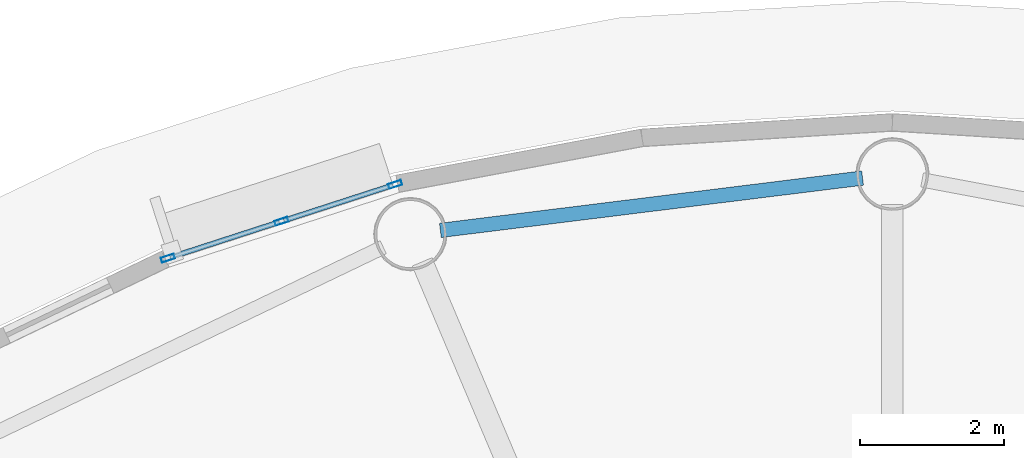
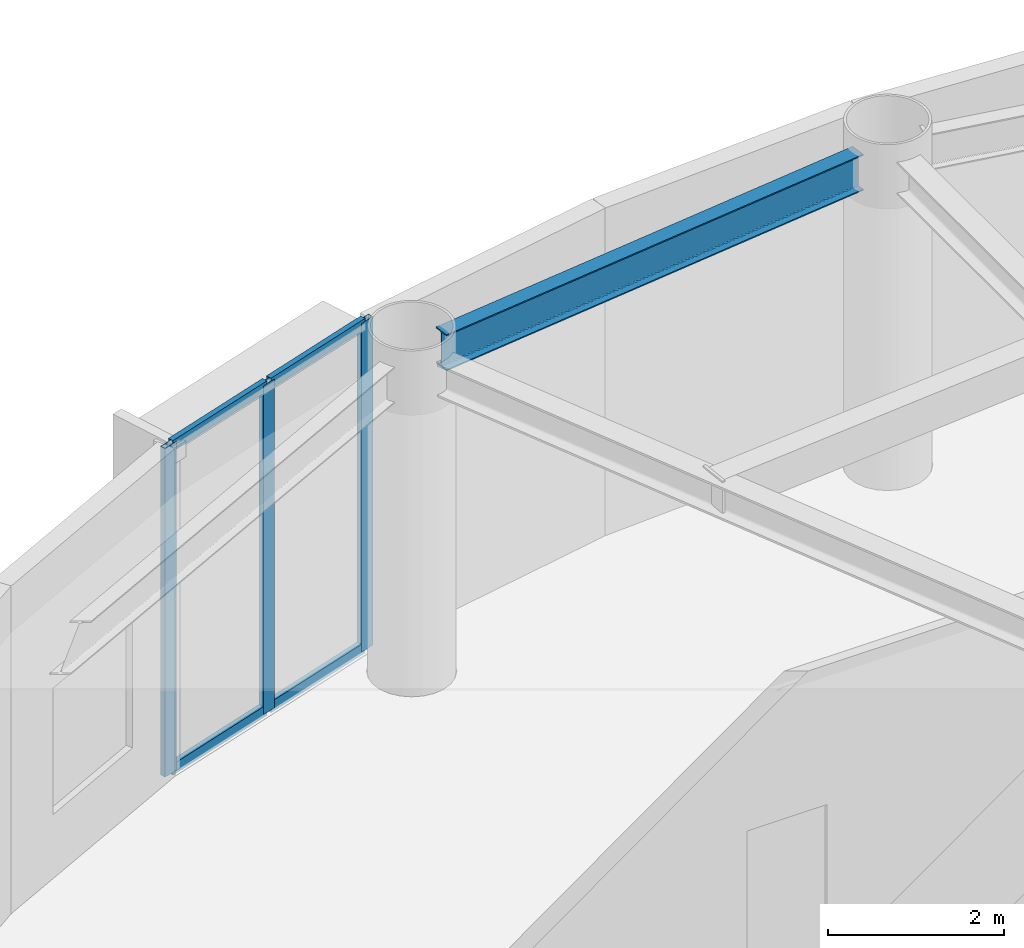
# One storey, part 18 of 32: 7 members, 1 beam, 1 element without a shape of its own.
"""IFC4 building model written with IfcOpenShell, lengths in metres."""

import ifcopenshell
import ifcopenshell.guid

model = None  # the IFC model being written
_history = None  # IfcOwnerHistory: only IFC2X3 demands one
_inside = {}  # id of a spatial element -> (the spatial element, [elements in it])
_under = {}  # id of a project, library or spatial element -> (it, [spatial elements below it])
_declared = {}  # id of a project -> (the project, [libraries it declares])
_typed = {}  # id of a type object -> (the type object, [elements of that type])
_made_of = {}  # id of a material, layer set ... -> (it, [elements and type objects made of it])


def new_model(schema):
    """Start an empty IFC model of exactly this schema.

    Asked for "IFC4X3", IfcOpenShell would pick the latest addendum, in which some entities
    have other attributes; the version numbers below select the first issue.
    IFC2X3 requires an IfcOwnerHistory on every rooted entity: one is made here for all.
    """
    global model, _history
    if schema == "IFC4X3":
        model = ifcopenshell.file(schema_version=(4, 3, 0, 0))
    else:
        model = ifcopenshell.file(schema=schema)
    _inside.clear()
    _under.clear()
    _declared.clear()
    _typed.clear()
    _made_of.clear()
    _history = None
    if model.schema == "IFC2X3":
        org = make("IfcOrganization", Name="unknown")
        user = make(
            "IfcPersonAndOrganization",
            ThePerson=make("IfcPerson", FamilyName="unknown"),
            TheOrganization=org,
        )
        app = make(
            "IfcApplication",
            ApplicationDeveloper=org,
            Version="unknown",
            ApplicationFullName="unknown",
            ApplicationIdentifier="unknown",
        )
        _history = make(
            "IfcOwnerHistory",
            OwningUser=user,
            OwningApplication=app,
            ChangeAction="ADDED",
            CreationDate=0,
        )
    return model


def make(cls, **values):
    """One entity of the class cls with the attributes given. An attribute that is None is left unset."""
    return model.create_entity(
        cls, **{name: value for name, value in values.items() if value is not None}
    )


def rooted(cls, **values):
    """An entity with a GlobalId (a new one), such as an element, a storey or a relation."""
    return make(cls, GlobalId=ifcopenshell.guid.new(), OwnerHistory=_history, **values)


def si_unit(unit_type, name, prefix=None):
    """IfcSIUnit, for example si_unit("LENGTHUNIT", "METRE", prefix="MILLI")."""
    return make("IfcSIUnit", UnitType=unit_type, Prefix=prefix, Name=name)


def assignment(units):
    """IfcUnitAssignment: the units of a project."""
    return None if units is None else make("IfcUnitAssignment", Units=units)


def point(xyz):
    """IfcCartesianPoint."""
    return None if xyz is None else make("IfcCartesianPoint", Coordinates=xyz)


def direction(xyz):
    """IfcDirection."""
    return None if xyz is None else make("IfcDirection", DirectionRatios=xyz)


def frame(location, z_axis=None, x_axis=None):
    """IfcAxis2Placement3D, a coordinate frame: its origin and axes. An axis left out is left unset."""
    return make(
        "IfcAxis2Placement3D",
        Location=point(location),
        Axis=direction(z_axis),
        RefDirection=direction(x_axis),
    )


def frame_2d(location, x_axis=None):
    """IfcAxis2Placement2D, a coordinate frame in the plane: its origin and x axis."""
    return make(
        "IfcAxis2Placement2D", Location=point(location), RefDirection=direction(x_axis)
    )


def origin():
    """The frame at (0, 0, 0) with its axes left unset."""
    return frame((0.0, 0.0, 0.0))


def origin_2d():
    """The frame at (0, 0) in the plane with its x axis left unset."""
    return frame_2d((0.0, 0.0))


def place(relative_to, where):
    """IfcLocalPlacement: puts the frame where relative to a parent placement (None: the world)."""
    return make(
        "IfcLocalPlacement", PlacementRelTo=relative_to, RelativePlacement=where
    )


def context(
    kind, dimensions, precision=None, world=None, true_north=None, identifier=None
):
    """IfcGeometricRepresentationContext, for example the 3D "Model" context."""
    return make(
        "IfcGeometricRepresentationContext",
        ContextIdentifier=identifier,
        ContextType=kind,
        CoordinateSpaceDimension=dimensions,
        Precision=precision,
        WorldCoordinateSystem=world,
        TrueNorth=true_north,
    )


def subcontext(parent, identifier, kind, view, scale=None):
    """IfcGeometricRepresentationSubContext, for example "Body" below "Model"."""
    return make(
        "IfcGeometricRepresentationSubContext",
        ContextIdentifier=identifier,
        ContextType=kind,
        ParentContext=parent,
        TargetScale=scale,
        TargetView=view,
    )


def project(units=None, contexts=None):
    """IfcProject with its units and contexts."""
    return rooted(
        "IfcProject",
        Name="project",
        RepresentationContexts=contexts,
        UnitsInContext=assignment(units),
    )


def spatial(cls, under=None, at=None, **own):
    """A site, building, storey or space (cls), placed at a placement, below another one or the project."""
    s = rooted(cls, ObjectPlacement=at, **own)
    if under is not None:
        _under.setdefault(under.id(), (under, []))[1].append(s)
    return s


def profile(cls, at=None, kind="AREA", **sizes):
    """A parametric profile (cls). Its sizes go by their IFC names, for example OverallWidth=200.0."""
    return make(cls, ProfileType=kind, Position=at, **sizes)


def hollow_rectangle(**sizes):
    """IfcRectangleHollowProfileDef."""
    return profile("IfcRectangleHollowProfileDef", **sizes)


def i_section(**sizes):
    """IfcIShapeProfileDef."""
    return profile("IfcIShapeProfileDef", **sizes)


def extrude(swept, where, along, depth):
    """IfcExtrudedAreaSolid: the profile swept, set in the frame where, extruded along a direction by depth."""
    return make(
        "IfcExtrudedAreaSolid",
        SweptArea=swept,
        Position=where,
        ExtrudedDirection=direction(along),
        Depth=depth,
    )


def shape(context_of_items, identifier, shape_type, items):
    """IfcShapeRepresentation: the items that make up one representation, for example the "Body"."""
    return make(
        "IfcShapeRepresentation",
        ContextOfItems=context_of_items,
        RepresentationIdentifier=identifier,
        RepresentationType=shape_type,
        Items=items,
    )


def source(mapping_origin, context_of_items, identifier, shape_type, items):
    """IfcRepresentationMap: a shape defined once, which mapped items show again and again."""
    return make(
        "IfcRepresentationMap",
        MappingOrigin=mapping_origin,
        MappedRepresentation=shape(context_of_items, identifier, shape_type, items),
    )


def transform(
    local_origin,
    x_axis=None,
    y_axis=None,
    z_axis=None,
    scale=None,
    scale2=None,
    scale3=None,
    uniform=True,
):
    """IfcCartesianTransformationOperator3D, or its non-uniform kind. x_axis, y_axis, z_axis: its Axis1, 2, 3."""
    if uniform:
        return make(
            "IfcCartesianTransformationOperator3D",
            Axis1=direction(x_axis),
            Axis2=direction(y_axis),
            LocalOrigin=point(local_origin),
            Scale=scale,
            Axis3=direction(z_axis),
        )
    return make(
        "IfcCartesianTransformationOperator3DnonUniform",
        Axis1=direction(x_axis),
        Axis2=direction(y_axis),
        LocalOrigin=point(local_origin),
        Scale=scale,
        Axis3=direction(z_axis),
        Scale2=scale2,
        Scale3=scale3,
    )


def mapped(mapping_source, mapping_target):
    """IfcMappedItem: shows the shape of a source again, moved by a transform."""
    return make(
        "IfcMappedItem", MappingSource=mapping_source, MappingTarget=mapping_target
    )


def material(Name=None, Category=None):
    """IfcMaterial."""
    return make("IfcMaterial", Name=Name, Category=Category)


def layer(
    of_material, thickness, ventilated=None, Name=None, Category=None, Priority=None
):
    """IfcMaterialLayer: one layer of a wall or slab, of a material (None: an air gap)."""
    return make(
        "IfcMaterialLayer",
        Material=of_material,
        LayerThickness=thickness,
        IsVentilated=ventilated,
        Name=Name,
        Category=Category,
        Priority=Priority,
    )


def layer_set(layers, Name=None):
    """IfcMaterialLayerSet."""
    return make("IfcMaterialLayerSet", MaterialLayers=layers, LayerSetName=Name)


def material_profile(
    of_material, cross_section, Name=None, Category=None, Priority=None
):
    """IfcMaterialProfile: a cross section and its material."""
    return make(
        "IfcMaterialProfile",
        Name=Name,
        Material=of_material,
        Profile=cross_section,
        Priority=Priority,
        Category=Category,
    )


def profile_set(profiles, Name=None, composite=None):
    """IfcMaterialProfileSet."""
    return make(
        "IfcMaterialProfileSet",
        Name=Name,
        MaterialProfiles=profiles,
        CompositeProfile=composite,
    )


def made_of(thing, what):
    """Note that an element or type object is made of a material, layer set ...; save() writes the relation."""
    if what is not None:
        _made_of.setdefault(what.id(), (what, []))[1].append(thing)
    return thing


def type_object(cls, material=None, **own):
    """A type object (cls), such as IfcWallType, which elements share."""
    return made_of(rooted(cls, **own), material)


def element(
    cls,
    number,
    at=None,
    inside=None,
    cuts=None,
    type_object=None,
    material=None,
    context=None,
    identifier="Body",
    shape_type=None,
    held_by="IfcProductDefinitionShape",
    body=None,
    shapes=None,
    **own,
):
    """One element of the class cls, such as IfcWall. Its Tag is "e" and its number.

    at: its placement. inside: the storey or other place that contains it. cuts: it is an
    opening in that element (IfcRelVoidsElement). A single representation is given by context,
    identifier, shape_type and body (its items); several are given by shapes. held_by: the class
    of the entity that holds the representations. save() writes the other relations.
    """
    e = rooted(cls, Tag="e%d" % number, ObjectPlacement=at, **own)
    if body is not None:
        shapes = [shape(context, identifier, shape_type, body)]
    if shapes is not None:
        e.Representation = make(held_by, Representations=shapes)
    if inside is not None:
        _inside.setdefault(inside.id(), (inside, []))[1].append(e)
    if cuts is not None:
        rooted(
            "IfcRelVoidsElement", RelatingBuildingElement=cuts, RelatedOpeningElement=e
        )
    if type_object is not None:
        _typed.setdefault(type_object.id(), (type_object, []))[1].append(e)
    return made_of(e, material)


def aggregate(whole, parts):
    """IfcRelAggregates: a whole, such as a stair, and the parts it consists of."""
    return rooted("IfcRelAggregates", RelatingObject=whole, RelatedObjects=parts)


def save(model, path):
    """Write the relations noted so far, then the file.

    IfcRelAggregates (storeys below a building ...), IfcRelContainedInSpatialStructure (elements
    in a storey), IfcRelDefinesByType, IfcRelAssociatesMaterial and IfcRelDeclares: one each for
    every whole, place, type object, material and project.
    """
    for whole, parts in _under.values():
        aggregate(whole, parts)
    for where, things in _inside.values():
        rooted(
            "IfcRelContainedInSpatialStructure",
            RelatedElements=things,
            RelatingStructure=where,
        )
    for kind, things in _typed.values():
        rooted("IfcRelDefinesByType", RelatedObjects=things, RelatingType=kind)
    for what, things in _made_of.values():
        rooted("IfcRelAssociatesMaterial", RelatedObjects=things, RelatingMaterial=what)
    for by, libraries in _declared.values():
        rooted("IfcRelDeclares", RelatingContext=by, RelatedDefinitions=libraries)
    model.write(path)


model = new_model("IFC4")

# Units and contexts
model_context = context("Model", 3, precision=1e-05, world=origin(), true_north=direction((0.0, 1.0)))
body_context = subcontext(model_context, "Body", "Model", "MODEL_VIEW")
ifc_project = project(units=[si_unit("LENGTHUNIT", "METRE"), si_unit("AREAUNIT", "SQUARE_METRE"), si_unit("VOLUMEUNIT", "CUBIC_METRE"), si_unit("PLANEANGLEUNIT", "RADIAN"), si_unit("MASSUNIT", "GRAM", prefix="KILO")], contexts=[model_context])

# Site, building, storey
site_placement = place(None, origin())
site = spatial("IfcSite", under=ifc_project, at=site_placement, CompositionType="ELEMENT")
building_placement = place(site_placement, origin())
building = spatial("IfcBuilding", under=site, at=building_placement, Name="Linh Dai School and Residence Tower", CompositionType="ELEMENT")
storey_placement = place(building_placement, frame((0.0, 0.0, 268.199951171875)))
storey = spatial("IfcBuildingStorey", under=building, at=storey_placement, Name="L66", CompositionType="ELEMENT", Elevation=268.199951171875)

# Beam
ifc_material_1 = material(Name="Structural Steel S355JR", Category="steel")
ifc_material_profile_1 = material_profile(ifc_material_1, i_section(OverallWidth=0.199951171875, OverallDepth=0.5, WebThickness=0.01025390625, FlangeThickness=0.01611328125, FilletRadius=0.02099609375, at=origin_2d()), Name="IPE 500")
ifc_profile_set_1 = profile_set([ifc_material_profile_1], Name="Structural Steel S355JR")
beam_type = type_object("IfcBeamType", Name="BM-RB50", PredefinedType="BEAM", material=ifc_profile_set_1)
beam_placement = place(storey_placement, frame((35.583251953125, 43.638427734375, 4.300048828125), z_axis=(-0.992399134443, -0.123060789678, 0.0), x_axis=(0.123060789678, -0.992399134443, 0.0)))
element("IfcBeam", 1, at=beam_placement, inside=storey, type_object=beam_type, Name="L66 Perimeter Elliptical Ring Beam 05", PredefinedType="BEAM", context=body_context, shape_type="SweptSolid", body=[
    extrude(i_section(OverallWidth=0.199951171875, OverallDepth=0.5, WebThickness=0.01025390625, FlangeThickness=0.01611328125, FilletRadius=0.02099609375, at=origin_2d()), origin(), (0.0, 0.0, 1.0), 5.923828125),
])

# Curtain wall, members
ifc_material_2 = material(Name="Aluminium Anodised Curtain Wall", Category="aluminium")
ifc_layer = layer(ifc_material_2, 0.18994140625)
ifc_layer_set = layer_set([ifc_layer], Name="Aluminium Anodised Curtain Wall")
curtain_wall_type = type_object("IfcCurtainWallType", Name="CW-SYS-5", PredefinedType="USERDEFINED", material=ifc_layer_set)
curtain_wall_placement = place(storey_placement, origin())
curtain_wall = element("IfcCurtainWall", 2, at=curtain_wall_placement, inside=storey, type_object=curtain_wall_type, Name="L66 CW5 Curtain Wall 13", ObjectType="UNITISED CURTAIN WALL", PredefinedType="USERDEFINED")
ifc_material_3 = material(Name="Aluminium Alloy 6063-T6", Category="aluminium")
ifc_material_profile_2 = material_profile(ifc_material_3, hollow_rectangle(XDim=0.070068359375, YDim=0.18994140625, WallThickness=0.00390625, at=origin_2d()), Name="RHS 190x70x4")
ifc_profile_set_2 = profile_set([ifc_material_profile_2], Name="Aluminium Alloy 6063-T6")
member_type_1 = type_object("IfcMemberType", Name="CW-SYS-5-MUL", PredefinedType="MULLION", material=ifc_profile_set_2)
shared_shape_1 = source(origin(), body_context, "Body", "SweptSolid", [
    extrude(hollow_rectangle(XDim=0.070068359375, YDim=0.18994140625, WallThickness=0.00390625, at=origin_2d()), origin(), (0.0, 0.0, 1.0), 4.550048828125),
])
member_1_placement = place(storey_placement, frame((25.91015625, 42.52294921875, 0.0), z_axis=(0.0, 0.0, 1.0), x_axis=(-0.308518805176, 0.951218243545, 0.0)))
member_1 = element("IfcMember", 3, at=member_1_placement, type_object=member_type_1, Name="CW5 mullion 1", PredefinedType="MULLION", context=body_context, shape_type="MappedRepresentation", body=[
    mapped(shared_shape_1, transform((0.0, 0.0, 0.0), x_axis=(1.0, 0.0, 0.0), y_axis=(0.0, 1.0, 0.0), z_axis=(0.0, 0.0, 1.0), scale=1.0)),
])
member_2_placement = place(storey_placement, frame((27.492919921875, 43.036376953125, 0.0), z_axis=(0.0, 0.0, 1.0), x_axis=(-0.308518805176, 0.951218243545, 0.0)))
member_2 = element("IfcMember", 4, at=member_2_placement, type_object=member_type_1, Name="CW5 mullion 2", PredefinedType="MULLION", context=body_context, shape_type="MappedRepresentation", body=[
    mapped(shared_shape_1, transform((0.0, 0.0, 0.0), x_axis=(1.0, 0.0, 0.0), y_axis=(0.0, 1.0, 0.0), z_axis=(0.0, 0.0, 1.0), scale=1.0)),
])
member_3_placement = place(storey_placement, frame((29.075439453125, 43.549560546875, 0.0), z_axis=(0.0, 0.0, 1.0), x_axis=(-0.308518805176, 0.951218243545, 0.0)))
member_3 = element("IfcMember", 5, at=member_3_placement, type_object=member_type_1, Name="CW5 mullion 3", PredefinedType="MULLION", context=body_context, shape_type="MappedRepresentation", body=[
    mapped(shared_shape_1, transform((0.0, 0.0, 0.0), x_axis=(1.0, 0.0, 0.0), y_axis=(0.0, 1.0, 0.0), z_axis=(0.0, 0.0, 1.0), scale=1.0)),
])
ifc_material_profile_3 = material_profile(ifc_material_3, hollow_rectangle(XDim=0.070068359375, YDim=0.14990234375, WallThickness=0.00390625, at=origin_2d()), Name="RHS 150x70x4")
ifc_profile_set_3 = profile_set([ifc_material_profile_3], Name="Aluminium Alloy 6063-T6")
member_type_2 = type_object("IfcMemberType", Name="CW-SYS-5-TRN", PredefinedType="USERDEFINED", material=ifc_profile_set_3)
shared_shape_2 = source(origin(), body_context, "Body", "SweptSolid", [
    extrude(hollow_rectangle(XDim=0.070068359375, YDim=0.14990234375, WallThickness=0.00390625, at=origin_2d()), origin(), (0.0, 0.0, 1.0), 1.593505859375),
])
member_4_placement = place(storey_placement, frame((25.943603515625, 42.53369140625, 0.03515625), z_axis=(0.951210667621, 0.308542162118, 0.0), x_axis=(-0.308542162118, 0.951210667621, 0.0)))
member_4 = element("IfcMember", 6, at=member_4_placement, type_object=member_type_2, Name="CW5 transom 1.1", ObjectType="TRANSOM", PredefinedType="USERDEFINED", context=body_context, shape_type="MappedRepresentation", body=[
    mapped(shared_shape_2, transform((0.0, 0.0, 0.0), x_axis=(1.0, 0.0, 0.0), y_axis=(0.0, 1.0, 0.0), z_axis=(0.0, 0.0, 1.0), scale=1.0)),
])
member_5_placement = place(storey_placement, frame((25.943603515625, 42.53369140625, 4.51513671875), z_axis=(0.951210667621, 0.308542162118, 0.0), x_axis=(-0.308542162118, 0.951210667621, 0.0)))
member_5 = element("IfcMember", 7, at=member_5_placement, type_object=member_type_2, Name="CW5 transom 1.2", ObjectType="TRANSOM", PredefinedType="USERDEFINED", context=body_context, shape_type="MappedRepresentation", body=[
    mapped(shared_shape_2, transform((0.0, 0.0, 0.0), x_axis=(1.0, 0.0, 0.0), y_axis=(0.0, 1.0, 0.0), z_axis=(0.0, 0.0, 1.0), scale=1.0)),
])
shared_shape_3 = source(origin(), body_context, "Body", "SweptSolid", [
    extrude(hollow_rectangle(XDim=0.070068359375, YDim=0.14990234375, WallThickness=0.00390625, at=origin_2d()), origin(), (0.0, 0.0, 1.0), 1.59375),
])
member_6_placement = place(storey_placement, frame((27.526123046875, 43.047119140625, 0.03515625), z_axis=(0.951225248683, 0.308497206256, 0.0), x_axis=(-0.308497206256, 0.951225248683, 0.0)))
member_6 = element("IfcMember", 8, at=member_6_placement, type_object=member_type_2, Name="CW5 transom 2.1", ObjectType="TRANSOM", PredefinedType="USERDEFINED", context=body_context, shape_type="MappedRepresentation", body=[
    mapped(shared_shape_3, transform((0.0, 0.0, 0.0), x_axis=(1.0, 0.0, 0.0), y_axis=(0.0, 1.0, 0.0), z_axis=(0.0, 0.0, 1.0), scale=1.0)),
])
member_7_placement = place(storey_placement, frame((27.526123046875, 43.047119140625, 4.51513671875), z_axis=(0.951225248683, 0.308497206256, 0.0), x_axis=(-0.308497206256, 0.951225248683, 0.0)))
member_7 = element("IfcMember", 9, at=member_7_placement, type_object=member_type_2, Name="CW5 transom 2.2", ObjectType="TRANSOM", PredefinedType="USERDEFINED", context=body_context, shape_type="MappedRepresentation", body=[
    mapped(shared_shape_3, transform((0.0, 0.0, 0.0), x_axis=(1.0, 0.0, 0.0), y_axis=(0.0, 1.0, 0.0), z_axis=(0.0, 0.0, 1.0), scale=1.0)),
])
aggregate(curtain_wall, [member_1, member_2, member_3, member_4, member_5, member_6, member_7])

save(model, "model.ifc")
